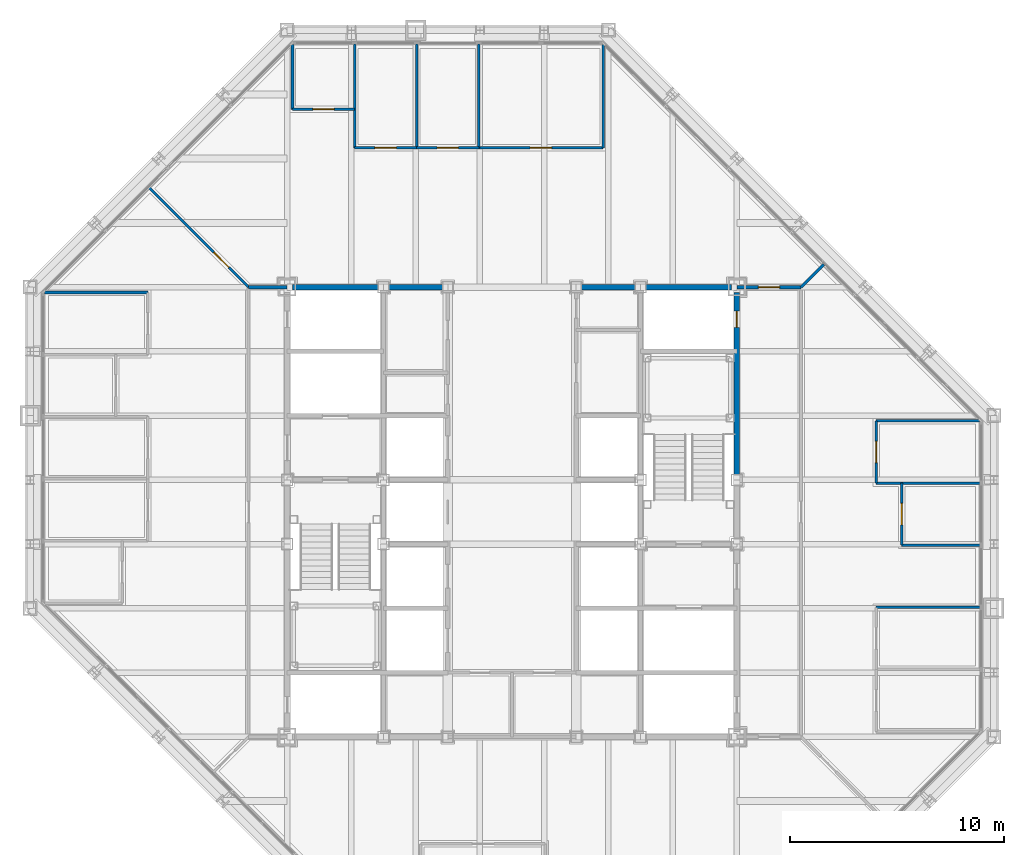
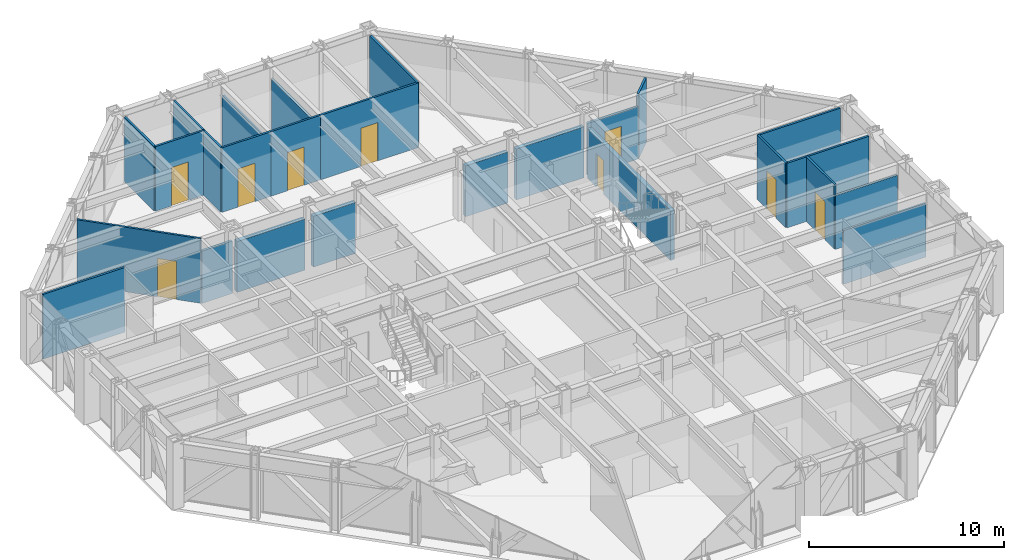
# One storey, part 13 of 16: 25 walls, 9 doors, 9 openings.
"""IFC4 building model written with IfcOpenShell, lengths in metres."""

from ifc_helpers import new_model, si_unit, direction, frame, frame_2d, origin, place, context, subcontext, project, spatial, rectangle, extrude, material, layer, layer_set, type_object, element, fill, save


model = new_model("IFC4")

# Units and contexts
model_context = context("Model", 3, precision=1e-05, world=origin(), true_north=direction((0.0, 1.0)))
body_context = subcontext(model_context, "Body", "Model", "MODEL_VIEW")
ifc_project = project(units=[si_unit("LENGTHUNIT", "METRE"), si_unit("AREAUNIT", "SQUARE_METRE"), si_unit("VOLUMEUNIT", "CUBIC_METRE"), si_unit("PLANEANGLEUNIT", "RADIAN"), si_unit("MASSUNIT", "GRAM", prefix="KILO")], contexts=[model_context])

# Site, building, storey
site_placement = place(None, origin())
site = spatial("IfcSite", under=ifc_project, at=site_placement, CompositionType="ELEMENT")
building_placement = place(site_placement, origin())
building = spatial("IfcBuilding", under=site, at=building_placement, Name="Chuquiago Exchange Tower", CompositionType="ELEMENT")
storey_placement = place(building_placement, frame((0.0, 0.0, 218.10009765625)))
storey = spatial("IfcBuildingStorey", under=building, at=storey_placement, Name="L48", CompositionType="ELEMENT", Elevation=218.10009765625)

# Walls
ifc_material_1 = material(Name="Concrete masonry, fully grouted", Category="masonry")
ifc_layer_1 = layer(ifc_material_1, 0.25)
ifc_layer_set_1 = layer_set([ifc_layer_1], Name="W1 core wall 250")
wall_type_1 = type_object("IfcWallType", Name="W1 core wall 250", PredefinedType="SOLIDWALL", material=ifc_layer_set_1)
wall_1_placement = place(storey_placement, frame((12.25, 33.0, 0.0), z_axis=(0.0, 0.0, 1.0), x_axis=(1.0, 0.0, 0.0)))
element("IfcWall", 1, at=wall_1_placement, inside=storey, type_object=wall_type_1, Name="CW-L48-11-0", PredefinedType="SOLIDWALL", context=body_context, shape_type="SweptSolid", body=[
    extrude(rectangle(XDim=4.0, YDim=0.25, at=frame_2d((2.0, 0.0))), origin(), (0.0, 0.0, 1.0), 3.181396484375),
])
for number, where, z_axis, x_axis, name in (
    (2, (16.75, 33.0, 0.0), (0.0, 0.0, 1.0), (1.0, 0.0, 0.0), "CW-L48-11-1"),
    (3, (25.75, 33.0, 0.0), (0.0, 0.0, 1.0), (1.0, 0.0, 0.0), "CW-L48-12-0"),
):
    element("IfcWall", number, at=place(storey_placement, frame(where, z_axis=z_axis, x_axis=x_axis)), inside=storey, type_object=wall_type_1, Name=name, PredefinedType="SOLIDWALL", context=body_context, shape_type="SweptSolid", body=[
        extrude(rectangle(XDim=2.5, YDim=0.25, at=frame_2d((1.25, 0.0))), origin(), (0.0, 0.0, 1.0), 3.181396484375),
    ])
wall_2_placement = place(storey_placement, frame((28.75, 33.0, 0.0), z_axis=(0.0, 0.0, 1.0), x_axis=(1.0, 0.0, 0.0)))
element("IfcWall", 4, at=wall_2_placement, inside=storey, type_object=wall_type_1, Name="CW-L48-12-1", PredefinedType="SOLIDWALL", context=body_context, shape_type="SweptSolid", body=[
    extrude(rectangle(XDim=4.0, YDim=0.25, at=frame_2d((2.0, 0.0))), origin(), (0.0, 0.0, 1.0), 3.181396484375),
])

# Wall, opening, door
wall_3_placement = place(storey_placement, frame((33.0, 24.25, 0.0), z_axis=(0.0, 0.0, 1.0), x_axis=(0.0, 1.0, 0.0)))
wall_3 = element("IfcWall", 5, at=wall_3_placement, inside=storey, type_object=wall_type_1, Name="CW-L48-25-2", PredefinedType="SOLIDWALL", context=body_context, shape_type="SweptSolid", body=[
    extrude(rectangle(XDim=8.5, YDim=0.25, at=frame_2d((4.25, 0.0))), origin(), (0.0, 0.0, 1.0), 3.11279296875),
])
opening_1_placement = place(wall_3_placement, frame((6.875, 0.0, 0.0)))
opening_1 = element("IfcOpeningElement", 6, at=opening_1_placement, cuts=wall_3, Name="Opening L48-010", PredefinedType="OPENING", context=body_context, shape_type="SweptSolid", body=[
    extrude(rectangle(XDim=0.75, YDim=2.10009765625, at=frame_2d((0.375, 1.050048828125))), frame((0.0, 0.135009765625, 0.0), z_axis=(0.0, -1.0, 0.0), x_axis=(1.0, 0.0, 0.0)), (0.0, 0.0, 1.0), 0.27001953125),
])
ifc_material_2 = material(Name="Steel door, painted", Category="steel")
door_type_1 = type_object("IfcDoorType", Name="D6 riser access door 750x2100", OperationType="SINGLE_SWING_LEFT", PredefinedType="DOOR", material=ifc_material_2)
door_1_placement = place(opening_1_placement, frame((0.75, 0.0, 0.0), z_axis=(0.0, 0.0, 1.0), x_axis=(-1.0, 0.0, 0.0)))
door_1 = element("IfcDoor", 7, at=door_1_placement, inside=storey, type_object=door_type_1, Name="Riser RE2 door", OperationType="SINGLE_SWING_LEFT", OverallHeight=2.10009765625, OverallWidth=0.75, PredefinedType="DOOR", context=body_context, shape_type="SweptSolid", body=[
    extrude(rectangle(XDim=0.75, YDim=2.10009765625, at=frame_2d((0.375, 1.050048828125))), frame((0.0, 0.02490234375, 0.0), z_axis=(0.0, -1.0, 0.0), x_axis=(1.0, 0.0, 0.0)), (0.0, 0.0, 1.0), 0.050048828125),
])
fill(opening_1, door_1)

# Wall
ifc_material_3 = material(Name="Gypsum board on steel studs, acoustic insulation", Category="steel")
ifc_layer_2 = layer(ifc_material_3, 0.14990234375)
ifc_layer_set_2 = layer_set([ifc_layer_2], Name="W11 corridor wall 150")
wall_type_2 = type_object("IfcWallType", Name="W11 corridor wall 150", PredefinedType="PARTITIONING", material=ifc_layer_set_2)
wall_4_placement = place(storey_placement, frame((10.199951171875, 33.0, 0.0), z_axis=(0.0, 0.0, 1.0), x_axis=(1.0, 0.0, 0.0)))
element("IfcWall", 8, at=wall_4_placement, inside=storey, type_object=wall_type_2, Name="PW-L48-GWN0", PredefinedType="PARTITIONING", context=body_context, shape_type="SweptSolid", body=[
    extrude(rectangle(XDim=1.800048828125, YDim=0.14990234375, at=frame_2d((0.89990234375, 0.0))), origin(), (0.0, 0.0, 1.0), 3.270263671875),
])

# Wall, opening, door
wall_5_placement = place(storey_placement, frame((33.0, 33.0, 0.0), z_axis=(0.0, 0.0, 1.0), x_axis=(1.0, 0.0, 0.0)))
wall_5 = element("IfcWall", 9, at=wall_5_placement, inside=storey, type_object=wall_type_2, Name="PW-L48-GEN0", PredefinedType="PARTITIONING", context=body_context, shape_type="SweptSolid", body=[
    extrude(rectangle(XDim=3.0, YDim=0.14990234375, at=frame_2d((1.5, 0.0))), origin(), (0.0, 0.0, 1.0), 3.270263671875),
])
opening_2_placement = place(wall_5_placement, frame((1.0, 0.0, 0.0)))
opening_2 = element("IfcOpeningElement", 10, at=opening_2_placement, cuts=wall_5, Name="Opening L48-040", PredefinedType="OPENING", context=body_context, shape_type="SweptSolid", body=[
    extrude(rectangle(XDim=1.0, YDim=2.39990234375, at=frame_2d((0.5, 1.199951171875))), frame((0.0, 0.0849609375, 0.0), z_axis=(0.0, -1.0, 0.0), x_axis=(1.0, 0.0, 0.0)), (0.0, 0.0, 1.0), 0.169921875),
])
ifc_material_4 = material(Name="Timber door, laminate faced", Category="wood")
door_type_2 = type_object("IfcDoorType", Name="D9 room door 1000x2400", OperationType="SINGLE_SWING_LEFT", PredefinedType="DOOR", material=ifc_material_4)
door_2_placement = place(opening_2_placement, origin())
door_2 = element("IfcDoor", 11, at=door_2_placement, inside=storey, type_object=door_type_2, Name="Team area door", OperationType="SINGLE_SWING_LEFT", OverallHeight=2.39990234375, OverallWidth=1.0, PredefinedType="DOOR", context=body_context, shape_type="SweptSolid", body=[
    extrude(rectangle(XDim=1.0, YDim=2.39990234375, at=frame_2d((0.5, 1.199951171875))), frame((0.0, 0.02490234375, 0.0), z_axis=(0.0, -1.0, 0.0), x_axis=(1.0, 0.0, 0.0)), (0.0, 0.0, 1.0), 0.050048828125),
])
fill(opening_2, door_2)

# Walls
ifc_material_5 = material(Name="Gypsum board on steel studs", Category="steel")
ifc_layer_3 = layer(ifc_material_5, 0.1201171875)
ifc_layer_set_3 = layer_set([ifc_layer_3], Name="W4 partition 120")
wall_type_3 = type_object("IfcWallType", Name="W4 partition 120", PredefinedType="PARTITIONING", material=ifc_layer_set_3)
wall_6_placement = place(storey_placement, frame((44.347412109375, 18.0498046875, 0.0), z_axis=(0.0, 0.0, 1.0), x_axis=(-1.0, 0.0, 0.0)))
element("IfcWall", 12, at=wall_6_placement, inside=storey, type_object=wall_type_3, Name="PW-L48-E01805", PredefinedType="PARTITIONING", context=body_context, shape_type="SweptSolid", body=[
    extrude(rectangle(XDim=4.847412109375, YDim=0.1201171875, at=frame_2d((2.423828125, 0.0))), origin(), (0.0, 0.0, 1.0), 3.356689453125),
])
wall_7_placement = place(storey_placement, frame((44.347412109375, 20.9501953125, 0.0), z_axis=(0.0, 0.0, 1.0), x_axis=(-1.0, 0.0, 0.0)))
element("IfcWall", 13, at=wall_7_placement, inside=storey, type_object=wall_type_3, Name="PW-L48-E02095", PredefinedType="PARTITIONING", context=body_context, shape_type="SweptSolid", body=[
    extrude(rectangle(XDim=3.6474609375, YDim=0.1201171875, at=frame_2d((1.82373046875, 0.0))), origin(), (0.0, 0.0, 1.0), 3.356689453125),
])
wall_8_placement = place(storey_placement, frame((44.347412109375, 23.850830078125, 0.0), z_axis=(0.0, 0.0, 1.0), x_axis=(-1.0, 0.0, 0.0)))
element("IfcWall", 14, at=wall_8_placement, inside=storey, type_object=wall_type_3, Name="PW-L48-E02385", PredefinedType="PARTITIONING", context=body_context, shape_type="SweptSolid", body=[
    extrude(rectangle(XDim=4.847412109375, YDim=0.1201171875, at=frame_2d((2.423828125, 0.0))), origin(), (0.0, 0.0, 1.0), 4.039794921875),
])
wall_9_placement = place(storey_placement, frame((44.333984375, 26.75146484375, 0.0), z_axis=(0.0, 0.0, 1.0), x_axis=(-1.0, 0.0, 0.0)))
element("IfcWall", 15, at=wall_9_placement, inside=storey, type_object=wall_type_3, Name="PW-L48-E02675", PredefinedType="PARTITIONING", context=body_context, shape_type="SweptSolid", body=[
    extrude(rectangle(XDim=4.833984375, YDim=0.1201171875, at=frame_2d((2.4169921875, 0.0))), origin(), (0.0, 0.0, 1.0), 4.039794921875),
])

# Wall, opening, door
wall_10_placement = place(storey_placement, frame((40.699951171875, 20.9501953125, 0.0), z_axis=(0.0, 0.0, 1.0), x_axis=(0.0, 1.0, 0.0)))
wall_10 = element("IfcWall", 16, at=wall_10_placement, inside=storey, type_object=wall_type_3, Name="PW-L48-EF02095", PredefinedType="PARTITIONING", context=body_context, shape_type="SweptSolid", body=[
    extrude(rectangle(XDim=2.900634765625, YDim=0.1201171875, at=frame_2d((1.4501953125, 0.0))), origin(), (0.0, 0.0, 1.0), 4.039794921875),
])
opening_3_placement = place(wall_10_placement, frame((0.9501953125, 0.0, 0.0)))
opening_3 = element("IfcOpeningElement", 17, at=opening_3_placement, cuts=wall_10, Name="Opening L48-027", PredefinedType="OPENING", context=body_context, shape_type="SweptSolid", body=[
    extrude(rectangle(XDim=1.0, YDim=2.39990234375, at=frame_2d((0.5, 1.199951171875))), frame((0.0, 0.070068359375, 0.0), z_axis=(0.0, -1.0, 0.0), x_axis=(1.0, 0.0, 0.0)), (0.0, 0.0, 1.0), 0.14013671875),
])
door_3_placement = place(opening_3_placement, frame((1.0, 0.0, 0.0), z_axis=(0.0, 0.0, 1.0), x_axis=(-1.0, 0.0, 0.0)))
door_3 = element("IfcDoor", 18, at=door_3_placement, inside=storey, type_object=door_type_2, Name="Pantry door", OperationType="SINGLE_SWING_RIGHT", OverallHeight=2.39990234375, OverallWidth=1.0, PredefinedType="DOOR", context=body_context, shape_type="SweptSolid", body=[
    extrude(rectangle(XDim=1.0, YDim=2.39990234375, at=frame_2d((0.5, 1.199951171875))), frame((0.0, 0.02490234375, 0.0), z_axis=(0.0, -1.0, 0.0), x_axis=(1.0, 0.0, 0.0)), (0.0, 0.0, 1.0), 0.050048828125),
])
fill(opening_3, door_3)

wall_11_placement = place(storey_placement, frame((39.5, 23.850830078125, 0.0), z_axis=(0.0, 0.0, 1.0), x_axis=(0.0, 1.0, 0.0)))
wall_11 = element("IfcWall", 19, at=wall_11_placement, inside=storey, type_object=wall_type_3, Name="PW-L48-EF02385", PredefinedType="PARTITIONING", context=body_context, shape_type="SweptSolid", body=[
    extrude(rectangle(XDim=2.900634765625, YDim=0.1201171875, at=frame_2d((1.4501953125, 0.0))), origin(), (0.0, 0.0, 1.0), 4.039794921875),
])
opening_4_placement = place(wall_11_placement, frame((0.9501953125, 0.0, 0.0)))
opening_4 = element("IfcOpeningElement", 20, at=opening_4_placement, cuts=wall_11, Name="Opening L48-028", PredefinedType="OPENING", context=body_context, shape_type="SweptSolid", body=[
    extrude(rectangle(XDim=1.0, YDim=2.39990234375, at=frame_2d((0.5, 1.199951171875))), frame((0.0, 0.070068359375, 0.0), z_axis=(0.0, -1.0, 0.0), x_axis=(1.0, 0.0, 0.0)), (0.0, 0.0, 1.0), 0.14013671875),
])
ifc_material_6 = material(Name="Timber frame door, full height glazed panel", Category="wood")
door_type_3 = type_object("IfcDoorType", Name="D14 glazed meeting room door 1000x2400", OperationType="SINGLE_SWING_LEFT", PredefinedType="DOOR", material=ifc_material_6)
door_4_placement = place(opening_4_placement, frame((1.0, 0.0, 0.0), z_axis=(0.0, 0.0, 1.0), x_axis=(-1.0, 0.0, 0.0)))
door_4 = element("IfcDoor", 21, at=door_4_placement, inside=storey, type_object=door_type_3, Name="Meeting room door", OperationType="SINGLE_SWING_RIGHT", OverallHeight=2.39990234375, OverallWidth=1.0, PredefinedType="DOOR", context=body_context, shape_type="SweptSolid", body=[
    extrude(rectangle(XDim=1.0, YDim=2.39990234375, at=frame_2d((0.5, 1.199951171875))), frame((0.0, 0.02490234375, 0.0), z_axis=(0.0, -1.0, 0.0), x_axis=(1.0, 0.0, 0.0)), (0.0, 0.0, 1.0), 0.050048828125),
])
fill(opening_4, door_4)

# Walls
wall_12_placement = place(storey_placement, frame((12.24853515625, 44.333984375, 0.0), z_axis=(0.0, 0.0, 1.0), x_axis=(0.0, -1.0, 0.0)))
element("IfcWall", 22, at=wall_12_placement, inside=storey, type_object=wall_type_3, Name="PW-L48-N01225", PredefinedType="PARTITIONING", context=body_context, shape_type="SweptSolid", body=[
    extrude(rectangle(XDim=3.033935546875, YDim=0.1201171875, at=frame_2d((1.51708984375, 0.0))), origin(), (0.0, 0.0, 1.0), 4.039794921875),
])
wall_13_placement = place(storey_placement, frame((15.149169921875, 44.347412109375, 0.0), z_axis=(0.0, 0.0, 1.0), x_axis=(0.0, -1.0, 0.0)))
element("IfcWall", 23, at=wall_13_placement, inside=storey, type_object=wall_type_3, Name="PW-L48-N01515", PredefinedType="PARTITIONING", context=body_context, shape_type="SweptSolid", body=[
    extrude(rectangle(XDim=4.847412109375, YDim=0.1201171875, at=frame_2d((2.423828125, 0.0))), origin(), (0.0, 0.0, 1.0), 4.039794921875),
])
for number, where, z_axis, x_axis, name in (
    (24, (18.0498046875, 44.347412109375, 0.0), (0.0, 0.0, 1.0), (0.0, -1.0, 0.0), "PW-L48-N01805"),
    (25, (20.9501953125, 44.347412109375, 0.0), (0.0, 0.0, 1.0), (0.0, -1.0, 0.0), "PW-L48-N02095"),
):
    element("IfcWall", number, at=place(storey_placement, frame(where, z_axis=z_axis, x_axis=x_axis)), inside=storey, type_object=wall_type_3, Name=name, PredefinedType="PARTITIONING", context=body_context, shape_type="SweptSolid", body=[
        extrude(rectangle(XDim=4.847412109375, YDim=0.1201171875, at=frame_2d((2.423828125, 0.0))), origin(), (0.0, 0.0, 1.0), 3.356689453125),
    ])
wall_14_placement = place(storey_placement, frame((26.75146484375, 44.333984375, 0.0), z_axis=(0.0, 0.0, 1.0), x_axis=(0.0, -1.0, 0.0)))
element("IfcWall", 26, at=wall_14_placement, inside=storey, type_object=wall_type_3, Name="PW-L48-N02675", PredefinedType="PARTITIONING", context=body_context, shape_type="SweptSolid", body=[
    extrude(rectangle(XDim=4.833984375, YDim=0.1201171875, at=frame_2d((2.4169921875, 0.0))), origin(), (0.0, 0.0, 1.0), 4.039794921875),
])

# Wall, opening, door
wall_15_placement = place(storey_placement, frame((12.24853515625, 41.300048828125, 0.0), z_axis=(0.0, 0.0, 1.0), x_axis=(1.0, 0.0, 0.0)))
wall_15 = element("IfcWall", 27, at=wall_15_placement, inside=storey, type_object=wall_type_3, Name="PW-L48-NF01225", PredefinedType="PARTITIONING", context=body_context, shape_type="SweptSolid", body=[
    extrude(rectangle(XDim=2.900634765625, YDim=0.1201171875, at=frame_2d((1.4501953125, 0.0))), origin(), (0.0, 0.0, 1.0), 4.039794921875),
])
opening_5_placement = place(wall_15_placement, frame((0.9501953125, 0.0, 0.0)))
opening_5 = element("IfcOpeningElement", 28, at=opening_5_placement, cuts=wall_15, Name="Opening L48-029", PredefinedType="OPENING", context=body_context, shape_type="SweptSolid", body=[
    extrude(rectangle(XDim=1.0, YDim=2.39990234375, at=frame_2d((0.5, 1.199951171875))), frame((0.0, 0.070068359375, 0.0), z_axis=(0.0, -1.0, 0.0), x_axis=(1.0, 0.0, 0.0)), (0.0, 0.0, 1.0), 0.14013671875),
])
door_5_placement = place(opening_5_placement, origin())
door_5 = element("IfcDoor", 29, at=door_5_placement, inside=storey, type_object=door_type_3, Name="Focus room door", OperationType="SINGLE_SWING_LEFT", OverallHeight=2.39990234375, OverallWidth=1.0, PredefinedType="DOOR", context=body_context, shape_type="SweptSolid", body=[
    extrude(rectangle(XDim=1.0, YDim=2.39990234375, at=frame_2d((0.5, 1.199951171875))), frame((0.0, 0.02490234375, 0.0), z_axis=(0.0, -1.0, 0.0), x_axis=(1.0, 0.0, 0.0)), (0.0, 0.0, 1.0), 0.050048828125),
])
fill(opening_5, door_5)

wall_16_placement = place(storey_placement, frame((15.149169921875, 39.5, 0.0), z_axis=(0.0, 0.0, 1.0), x_axis=(1.0, 0.0, 0.0)))
wall_16 = element("IfcWall", 30, at=wall_16_placement, inside=storey, type_object=wall_type_3, Name="PW-L48-NF01515", PredefinedType="PARTITIONING", context=body_context, shape_type="SweptSolid", body=[
    extrude(rectangle(XDim=2.900634765625, YDim=0.1201171875, at=frame_2d((1.4501953125, 0.0))), origin(), (0.0, 0.0, 1.0), 4.039794921875),
])
opening_6_placement = place(wall_16_placement, frame((0.9501953125, 0.0, 0.0)))
opening_6 = element("IfcOpeningElement", 31, at=opening_6_placement, cuts=wall_16, Name="Opening L48-030", PredefinedType="OPENING", context=body_context, shape_type="SweptSolid", body=[
    extrude(rectangle(XDim=1.0, YDim=2.39990234375, at=frame_2d((0.5, 1.199951171875))), frame((0.0, 0.070068359375, 0.0), z_axis=(0.0, -1.0, 0.0), x_axis=(1.0, 0.0, 0.0)), (0.0, 0.0, 1.0), 0.14013671875),
])
door_6_placement = place(opening_6_placement, origin())
door_6 = element("IfcDoor", 32, at=door_6_placement, inside=storey, type_object=door_type_2, Name="Compliance office door", OperationType="SINGLE_SWING_LEFT", OverallHeight=2.39990234375, OverallWidth=1.0, PredefinedType="DOOR", context=body_context, shape_type="SweptSolid", body=[
    extrude(rectangle(XDim=1.0, YDim=2.39990234375, at=frame_2d((0.5, 1.199951171875))), frame((0.0, 0.02490234375, 0.0), z_axis=(0.0, -1.0, 0.0), x_axis=(1.0, 0.0, 0.0)), (0.0, 0.0, 1.0), 0.050048828125),
])
fill(opening_6, door_6)

wall_17_placement = place(storey_placement, frame((18.0498046875, 39.5, 0.0), z_axis=(0.0, 0.0, 1.0), x_axis=(1.0, 0.0, 0.0)))
wall_17 = element("IfcWall", 33, at=wall_17_placement, inside=storey, type_object=wall_type_3, Name="PW-L48-NF01805", PredefinedType="PARTITIONING", context=body_context, shape_type="SweptSolid", body=[
    extrude(rectangle(XDim=2.900390625, YDim=0.1201171875, at=frame_2d((1.4501953125, 0.0))), origin(), (0.0, 0.0, 1.0), 4.039794921875),
])
opening_7_placement = place(wall_17_placement, frame((0.9501953125, 0.0, 0.0)))
opening_7 = element("IfcOpeningElement", 34, at=opening_7_placement, cuts=wall_17, Name="Opening L48-031", PredefinedType="OPENING", context=body_context, shape_type="SweptSolid", body=[
    extrude(rectangle(XDim=1.0, YDim=2.39990234375, at=frame_2d((0.5, 1.199951171875))), frame((0.0, 0.070068359375, 0.0), z_axis=(0.0, -1.0, 0.0), x_axis=(1.0, 0.0, 0.0)), (0.0, 0.0, 1.0), 0.14013671875),
])
door_7_placement = place(opening_7_placement, origin())
door_7 = element("IfcDoor", 35, at=door_7_placement, inside=storey, type_object=door_type_2, Name="Compliance office door", OperationType="SINGLE_SWING_RIGHT", OverallHeight=2.39990234375, OverallWidth=1.0, PredefinedType="DOOR", context=body_context, shape_type="SweptSolid", body=[
    extrude(rectangle(XDim=1.0, YDim=2.39990234375, at=frame_2d((0.5, 1.199951171875))), frame((0.0, 0.02490234375, 0.0), z_axis=(0.0, -1.0, 0.0), x_axis=(1.0, 0.0, 0.0)), (0.0, 0.0, 1.0), 0.050048828125),
])
fill(opening_7, door_7)

wall_18_placement = place(storey_placement, frame((20.9501953125, 39.5, 0.0), z_axis=(0.0, 0.0, 1.0), x_axis=(1.0, 0.0, 0.0)))
wall_18 = element("IfcWall", 36, at=wall_18_placement, inside=storey, type_object=wall_type_3, Name="PW-L48-NF02095", PredefinedType="PARTITIONING", context=body_context, shape_type="SweptSolid", body=[
    extrude(rectangle(XDim=5.80126953125, YDim=0.1201171875, at=frame_2d((2.900634765625, 0.0))), origin(), (0.0, 0.0, 1.0), 4.039794921875),
])
opening_8_placement = place(wall_18_placement, frame((2.400634765625, 0.0, 0.0)))
opening_8 = element("IfcOpeningElement", 37, at=opening_8_placement, cuts=wall_18, Name="Opening L48-032", PredefinedType="OPENING", context=body_context, shape_type="SweptSolid", body=[
    extrude(rectangle(XDim=1.0, YDim=2.39990234375, at=frame_2d((0.5, 1.199951171875))), frame((0.0, 0.070068359375, 0.0), z_axis=(0.0, -1.0, 0.0), x_axis=(1.0, 0.0, 0.0)), (0.0, 0.0, 1.0), 0.14013671875),
])
door_8_placement = place(opening_8_placement, origin())
door_8 = element("IfcDoor", 38, at=door_8_placement, inside=storey, type_object=door_type_3, Name="Meeting room door", OperationType="SINGLE_SWING_LEFT", OverallHeight=2.39990234375, OverallWidth=1.0, PredefinedType="DOOR", context=body_context, shape_type="SweptSolid", body=[
    extrude(rectangle(XDim=1.0, YDim=2.39990234375, at=frame_2d((0.5, 1.199951171875))), frame((0.0, 0.02490234375, 0.0), z_axis=(0.0, -1.0, 0.0), x_axis=(1.0, 0.0, 0.0)), (0.0, 0.0, 1.0), 0.050048828125),
])
fill(opening_8, door_8)

# Walls
wall_19_placement = place(storey_placement, frame((0.666015625, 32.75146484375, 0.0), z_axis=(0.0, 0.0, 1.0), x_axis=(1.0, 0.0, 0.0)))
element("IfcWall", 39, at=wall_19_placement, inside=storey, type_object=wall_type_3, Name="PW-L48-W03275", PredefinedType="PARTITIONING", context=body_context, shape_type="SweptSolid", body=[
    extrude(rectangle(XDim=4.833984375, YDim=0.1201171875, at=frame_2d((2.4169921875, 0.0))), origin(), (0.0, 0.0, 1.0), 4.039794921875),
])
wall_20_placement = place(storey_placement, frame((36.0, 33.0, 0.0), z_axis=(0.0, 0.0, 1.0), x_axis=(0.707106781187, 0.707106781187, 0.0)))
element("IfcWall", 40, at=wall_20_placement, inside=storey, type_object=wall_type_3, Name="PW-L48-QNE", PredefinedType="PARTITIONING", context=body_context, shape_type="SweptSolid", body=[
    extrude(rectangle(XDim=1.4892578125, YDim=0.1201171875, at=frame_2d((0.74462890625, 0.0))), origin(), (0.0, 0.0, 1.0), 4.039794921875),
])

# Wall, opening, door
wall_21_placement = place(storey_placement, frame((10.199951171875, 33.0, 0.0), z_axis=(0.0, 0.0, 1.0), x_axis=(-0.707106781187, 0.707106781187, 0.0)))
wall_21 = element("IfcWall", 41, at=wall_21_placement, inside=storey, type_object=wall_type_3, Name="PW-L48-QNW", PredefinedType="PARTITIONING", context=body_context, shape_type="SweptSolid", body=[
    extrude(rectangle(XDim=6.580322265625, YDim=0.1201171875, at=frame_2d((3.2900390625, 0.0))), origin(), (0.0, 0.0, 1.0), 4.039794921875),
])
opening_9_placement = place(wall_21_placement, frame((1.300048828125, 0.0, 0.0)))
opening_9 = element("IfcOpeningElement", 42, at=opening_9_placement, cuts=wall_21, Name="Opening L48-042", PredefinedType="OPENING", context=body_context, shape_type="SweptSolid", body=[
    extrude(rectangle(XDim=1.0, YDim=2.39990234375, at=frame_2d((0.5, 1.199951171875))), frame((0.0, 0.070068359375, 0.0), z_axis=(0.0, -1.0, 0.0), x_axis=(1.0, 0.0, 0.0)), (0.0, 0.0, 1.0), 0.14013671875),
])
door_9_placement = place(opening_9_placement, origin())
door_9 = element("IfcDoor", 43, at=door_9_placement, inside=storey, type_object=door_type_2, Name="Team area door", OperationType="SINGLE_SWING_LEFT", OverallHeight=2.39990234375, OverallWidth=1.0, PredefinedType="DOOR", context=body_context, shape_type="SweptSolid", body=[
    extrude(rectangle(XDim=1.0, YDim=2.39990234375, at=frame_2d((0.5, 1.199951171875))), frame((0.0, 0.02490234375, 0.0), z_axis=(0.0, -1.0, 0.0), x_axis=(1.0, 0.0, 0.0)), (0.0, 0.0, 1.0), 0.050048828125),
])
fill(opening_9, door_9)

save(model, "model.ifc")
